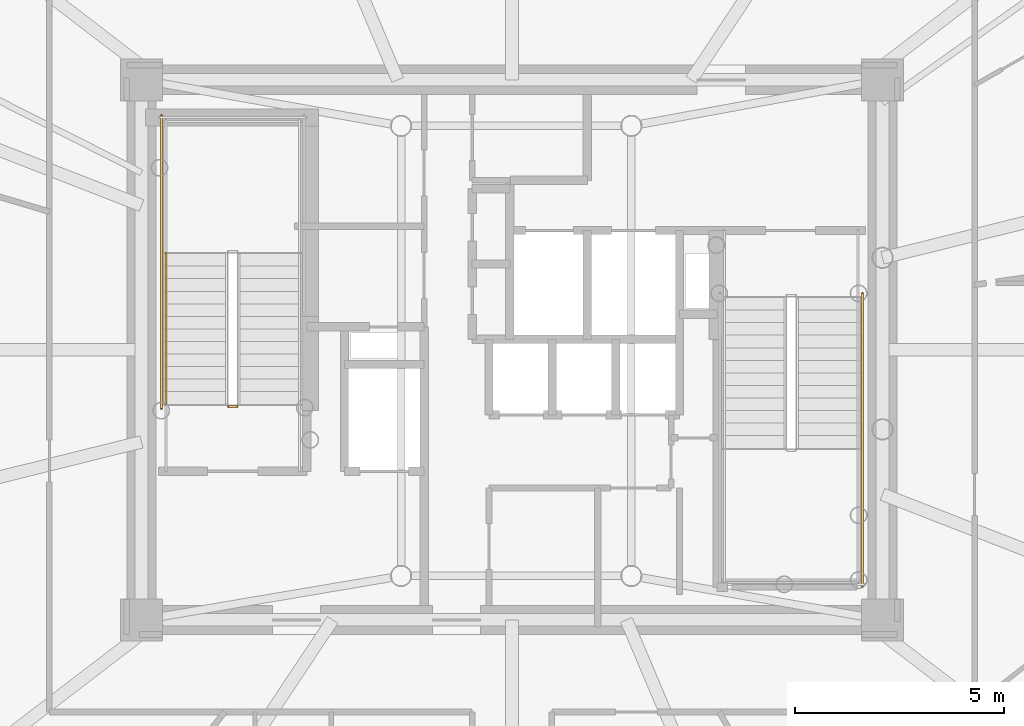
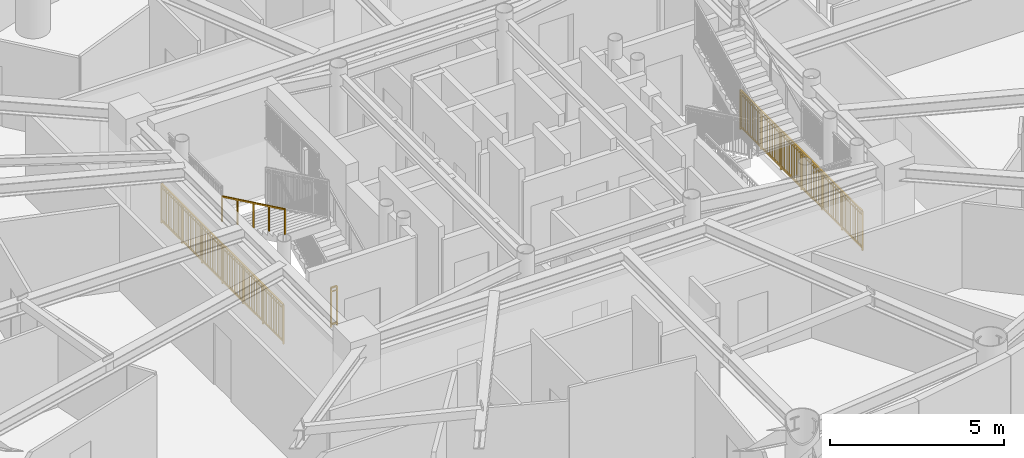
# One storey, part 14 of 18: 4 railings.
"""IFC4 building model written with IfcOpenShell, lengths in metres."""

import ifcopenshell
import ifcopenshell.guid

model = None  # the IFC model being written
_history = None  # IfcOwnerHistory: only IFC2X3 demands one
_inside = {}  # id of a spatial element -> (the spatial element, [elements in it])
_under = {}  # id of a project, library or spatial element -> (it, [spatial elements below it])
_declared = {}  # id of a project -> (the project, [libraries it declares])
_typed = {}  # id of a type object -> (the type object, [elements of that type])
_made_of = {}  # id of a material, layer set ... -> (it, [elements and type objects made of it])


def new_model(schema):
    """Start an empty IFC model of exactly this schema.

    Asked for "IFC4X3", IfcOpenShell would pick the latest addendum, in which some entities
    have other attributes; the version numbers below select the first issue.
    IFC2X3 requires an IfcOwnerHistory on every rooted entity: one is made here for all.
    """
    global model, _history
    if schema == "IFC4X3":
        model = ifcopenshell.file(schema_version=(4, 3, 0, 0))
    else:
        model = ifcopenshell.file(schema=schema)
    _inside.clear()
    _under.clear()
    _declared.clear()
    _typed.clear()
    _made_of.clear()
    _history = None
    if model.schema == "IFC2X3":
        org = make("IfcOrganization", Name="unknown")
        user = make(
            "IfcPersonAndOrganization",
            ThePerson=make("IfcPerson", FamilyName="unknown"),
            TheOrganization=org,
        )
        app = make(
            "IfcApplication",
            ApplicationDeveloper=org,
            Version="unknown",
            ApplicationFullName="unknown",
            ApplicationIdentifier="unknown",
        )
        _history = make(
            "IfcOwnerHistory",
            OwningUser=user,
            OwningApplication=app,
            ChangeAction="ADDED",
            CreationDate=0,
        )
    return model


def make(cls, **values):
    """One entity of the class cls with the attributes given. An attribute that is None is left unset."""
    return model.create_entity(
        cls, **{name: value for name, value in values.items() if value is not None}
    )


def rooted(cls, **values):
    """An entity with a GlobalId (a new one), such as an element, a storey or a relation."""
    return make(cls, GlobalId=ifcopenshell.guid.new(), OwnerHistory=_history, **values)


def si_unit(unit_type, name, prefix=None):
    """IfcSIUnit, for example si_unit("LENGTHUNIT", "METRE", prefix="MILLI")."""
    return make("IfcSIUnit", UnitType=unit_type, Prefix=prefix, Name=name)


def assignment(units):
    """IfcUnitAssignment: the units of a project."""
    return None if units is None else make("IfcUnitAssignment", Units=units)


def point(xyz):
    """IfcCartesianPoint."""
    return None if xyz is None else make("IfcCartesianPoint", Coordinates=xyz)


def direction(xyz):
    """IfcDirection."""
    return None if xyz is None else make("IfcDirection", DirectionRatios=xyz)


def frame(location, z_axis=None, x_axis=None):
    """IfcAxis2Placement3D, a coordinate frame: its origin and axes. An axis left out is left unset."""
    return make(
        "IfcAxis2Placement3D",
        Location=point(location),
        Axis=direction(z_axis),
        RefDirection=direction(x_axis),
    )


def frame_2d(location, x_axis=None):
    """IfcAxis2Placement2D, a coordinate frame in the plane: its origin and x axis."""
    return make(
        "IfcAxis2Placement2D", Location=point(location), RefDirection=direction(x_axis)
    )


def origin():
    """The frame at (0, 0, 0) with its axes left unset."""
    return frame((0.0, 0.0, 0.0))


def origin_2d():
    """The frame at (0, 0) in the plane with its x axis left unset."""
    return frame_2d((0.0, 0.0))


def place(relative_to, where):
    """IfcLocalPlacement: puts the frame where relative to a parent placement (None: the world)."""
    return make(
        "IfcLocalPlacement", PlacementRelTo=relative_to, RelativePlacement=where
    )


def context(
    kind, dimensions, precision=None, world=None, true_north=None, identifier=None
):
    """IfcGeometricRepresentationContext, for example the 3D "Model" context."""
    return make(
        "IfcGeometricRepresentationContext",
        ContextIdentifier=identifier,
        ContextType=kind,
        CoordinateSpaceDimension=dimensions,
        Precision=precision,
        WorldCoordinateSystem=world,
        TrueNorth=true_north,
    )


def subcontext(parent, identifier, kind, view, scale=None):
    """IfcGeometricRepresentationSubContext, for example "Body" below "Model"."""
    return make(
        "IfcGeometricRepresentationSubContext",
        ContextIdentifier=identifier,
        ContextType=kind,
        ParentContext=parent,
        TargetScale=scale,
        TargetView=view,
    )


def project(units=None, contexts=None):
    """IfcProject with its units and contexts."""
    return rooted(
        "IfcProject",
        Name="project",
        RepresentationContexts=contexts,
        UnitsInContext=assignment(units),
    )


def spatial(cls, under=None, at=None, **own):
    """A site, building, storey or space (cls), placed at a placement, below another one or the project."""
    s = rooted(cls, ObjectPlacement=at, **own)
    if under is not None:
        _under.setdefault(under.id(), (under, []))[1].append(s)
    return s


def profile(cls, at=None, kind="AREA", **sizes):
    """A parametric profile (cls). Its sizes go by their IFC names, for example OverallWidth=200.0."""
    return make(cls, ProfileType=kind, Position=at, **sizes)


def rectangle(**sizes):
    """IfcRectangleProfileDef."""
    return profile("IfcRectangleProfileDef", **sizes)


def extrude(swept, where, along, depth):
    """IfcExtrudedAreaSolid: the profile swept, set in the frame where, extruded along a direction by depth."""
    return make(
        "IfcExtrudedAreaSolid",
        SweptArea=swept,
        Position=where,
        ExtrudedDirection=direction(along),
        Depth=depth,
    )


def shape(context_of_items, identifier, shape_type, items):
    """IfcShapeRepresentation: the items that make up one representation, for example the "Body"."""
    return make(
        "IfcShapeRepresentation",
        ContextOfItems=context_of_items,
        RepresentationIdentifier=identifier,
        RepresentationType=shape_type,
        Items=items,
    )


def source(mapping_origin, context_of_items, identifier, shape_type, items):
    """IfcRepresentationMap: a shape defined once, which mapped items show again and again."""
    return make(
        "IfcRepresentationMap",
        MappingOrigin=mapping_origin,
        MappedRepresentation=shape(context_of_items, identifier, shape_type, items),
    )


def transform(
    local_origin,
    x_axis=None,
    y_axis=None,
    z_axis=None,
    scale=None,
    scale2=None,
    scale3=None,
    uniform=True,
):
    """IfcCartesianTransformationOperator3D, or its non-uniform kind. x_axis, y_axis, z_axis: its Axis1, 2, 3."""
    if uniform:
        return make(
            "IfcCartesianTransformationOperator3D",
            Axis1=direction(x_axis),
            Axis2=direction(y_axis),
            LocalOrigin=point(local_origin),
            Scale=scale,
            Axis3=direction(z_axis),
        )
    return make(
        "IfcCartesianTransformationOperator3DnonUniform",
        Axis1=direction(x_axis),
        Axis2=direction(y_axis),
        LocalOrigin=point(local_origin),
        Scale=scale,
        Axis3=direction(z_axis),
        Scale2=scale2,
        Scale3=scale3,
    )


def mapped(mapping_source, mapping_target):
    """IfcMappedItem: shows the shape of a source again, moved by a transform."""
    return make(
        "IfcMappedItem", MappingSource=mapping_source, MappingTarget=mapping_target
    )


def material(Name=None, Category=None):
    """IfcMaterial."""
    return make("IfcMaterial", Name=Name, Category=Category)


def made_of(thing, what):
    """Note that an element or type object is made of a material, layer set ...; save() writes the relation."""
    if what is not None:
        _made_of.setdefault(what.id(), (what, []))[1].append(thing)
    return thing


def type_object(cls, material=None, **own):
    """A type object (cls), such as IfcWallType, which elements share."""
    return made_of(rooted(cls, **own), material)


def element(
    cls,
    number,
    at=None,
    inside=None,
    cuts=None,
    type_object=None,
    material=None,
    context=None,
    identifier="Body",
    shape_type=None,
    held_by="IfcProductDefinitionShape",
    body=None,
    shapes=None,
    **own,
):
    """One element of the class cls, such as IfcWall. Its Tag is "e" and its number.

    at: its placement. inside: the storey or other place that contains it. cuts: it is an
    opening in that element (IfcRelVoidsElement). A single representation is given by context,
    identifier, shape_type and body (its items); several are given by shapes. held_by: the class
    of the entity that holds the representations. save() writes the other relations.
    """
    e = rooted(cls, Tag="e%d" % number, ObjectPlacement=at, **own)
    if body is not None:
        shapes = [shape(context, identifier, shape_type, body)]
    if shapes is not None:
        e.Representation = make(held_by, Representations=shapes)
    if inside is not None:
        _inside.setdefault(inside.id(), (inside, []))[1].append(e)
    if cuts is not None:
        rooted(
            "IfcRelVoidsElement", RelatingBuildingElement=cuts, RelatedOpeningElement=e
        )
    if type_object is not None:
        _typed.setdefault(type_object.id(), (type_object, []))[1].append(e)
    return made_of(e, material)


def aggregate(whole, parts):
    """IfcRelAggregates: a whole, such as a stair, and the parts it consists of."""
    return rooted("IfcRelAggregates", RelatingObject=whole, RelatedObjects=parts)


def save(model, path):
    """Write the relations noted so far, then the file.

    IfcRelAggregates (storeys below a building ...), IfcRelContainedInSpatialStructure (elements
    in a storey), IfcRelDefinesByType, IfcRelAssociatesMaterial and IfcRelDeclares: one each for
    every whole, place, type object, material and project.
    """
    for whole, parts in _under.values():
        aggregate(whole, parts)
    for where, things in _inside.values():
        rooted(
            "IfcRelContainedInSpatialStructure",
            RelatedElements=things,
            RelatingStructure=where,
        )
    for kind, things in _typed.values():
        rooted("IfcRelDefinesByType", RelatedObjects=things, RelatingType=kind)
    for what, things in _made_of.values():
        rooted("IfcRelAssociatesMaterial", RelatedObjects=things, RelatingMaterial=what)
    for by, libraries in _declared.values():
        rooted("IfcRelDeclares", RelatingContext=by, RelatedDefinitions=libraries)
    model.write(path)


model = new_model("IFC4")

# Units and contexts
model_context = context("Model", 3, precision=1e-05, world=origin(), true_north=direction((0.0, 1.0)))
body_context = subcontext(model_context, "Body", "Model", "MODEL_VIEW")
ifc_project = project(units=[si_unit("LENGTHUNIT", "METRE"), si_unit("AREAUNIT", "SQUARE_METRE"), si_unit("VOLUMEUNIT", "CUBIC_METRE"), si_unit("PLANEANGLEUNIT", "RADIAN"), si_unit("MASSUNIT", "GRAM", prefix="KILO")], contexts=[model_context])

# Site, building, storey
site_placement = place(None, origin())
site = spatial("IfcSite", under=ifc_project, at=site_placement, CompositionType="ELEMENT")
building_placement = place(site_placement, origin())
building = spatial("IfcBuilding", under=site, at=building_placement, Name="Linh Dai School and Residence Tower", CompositionType="ELEMENT")
storey_placement = place(building_placement, frame((0.0, 0.0, 273.0)))
storey = spatial("IfcBuildingStorey", under=building, at=storey_placement, Name="L67", CompositionType="ELEMENT", Elevation=273.0)

# Railings
ifc_material_1 = material(Name="Structural Steel S355JR", Category="steel")
railing_type_1 = type_object("IfcRailingType", Name="RL-ST-GUARD-1400", PredefinedType="GUARDRAIL", material=ifc_material_1)
shared_shape_1 = source(origin(), body_context, "Body", "SweptSolid", [
    extrude(rectangle(XDim=0.048095703125, YDim=0.048095703125, at=origin_2d()), frame((0.0, 0.0, 1.3759765625), z_axis=(-1.0, 0.0, 0.0), x_axis=(0.0, -1.0, 0.0)), (0.0, 0.0, 1.0), 0.199951171875),
    extrude(rectangle(XDim=0.048095703125, YDim=0.048095703125, at=origin_2d()), frame((0.0, 0.0, 0.10009765625), z_axis=(-1.0, 0.0, 0.0), x_axis=(0.0, -1.0, 0.0)), (0.0, 0.0, 1.0), 0.199951171875),
    extrude(rectangle(XDim=0.030029296875, YDim=0.030029296875, at=origin_2d()), frame((0.0, 0.0, 1.239990234375), z_axis=(-1.0, 0.0, 0.0), x_axis=(0.0, -1.0, 0.0)), (0.0, 0.0, 1.0), 0.199951171875),
    extrude(rectangle(XDim=0.0419921875, YDim=0.0419921875, at=origin_2d()), origin(), (0.0, 0.0, 1.0), 1.3759765625),
    extrude(rectangle(XDim=0.0419921875, YDim=0.0419921875, at=origin_2d()), frame((-0.199951171875, 0.0, 0.0)), (0.0, 0.0, 1.0), 1.3759765625),
])
railing_1_placement = place(storey_placement, frame((29.429931640625, 25.64990234375, 0.0)))
element("IfcRailing", 1, at=railing_1_placement, inside=storey, type_object=railing_type_1, Name="L67 ST1 stair guard 7", PredefinedType="GUARDRAIL", context=body_context, shape_type="MappedRepresentation", body=[
    mapped(shared_shape_1, transform((0.0, 0.0, 0.0), x_axis=(1.0, 0.0, 0.0), y_axis=(0.0, 1.0, 0.0), z_axis=(0.0, 0.0, 1.0), scale=1.0)),
])
shared_shape_2 = source(origin(), body_context, "Body", "SweptSolid", [
    extrude(rectangle(XDim=0.048095703125, YDim=0.048095703125, at=origin_2d()), frame((0.0, 0.0, 1.3759765625), z_axis=(0.0, 1.0, 0.0), x_axis=(-1.0, 0.0, 0.0)), (0.0, 0.0, 1.0), 7.0),
    extrude(rectangle(XDim=0.048095703125, YDim=0.048095703125, at=origin_2d()), frame((0.0, 0.0, 0.10009765625), z_axis=(0.0, 1.0, 0.0), x_axis=(-1.0, 0.0, 0.0)), (0.0, 0.0, 1.0), 7.0),
    extrude(rectangle(XDim=0.030029296875, YDim=0.030029296875, at=origin_2d()), frame((0.0, 0.0, 1.239990234375), z_axis=(0.0, 1.0, 0.0), x_axis=(-1.0, 0.0, 0.0)), (0.0, 0.0, 1.0), 7.0),
    extrude(rectangle(XDim=0.02001953125, YDim=0.02001953125, at=origin_2d()), frame((0.0, 0.09716796875, 0.10009765625)), (0.0, 0.0, 1.0), 1.251708984375),
    extrude(rectangle(XDim=0.02001953125, YDim=0.02001953125, at=origin_2d()), frame((0.0, 0.1943359375, 0.10009765625)), (0.0, 0.0, 1.0), 1.251708984375),
    extrude(rectangle(XDim=0.02001953125, YDim=0.02001953125, at=origin_2d()), frame((0.0, 0.291748046875, 0.10009765625)), (0.0, 0.0, 1.0), 1.251708984375),
    extrude(rectangle(XDim=0.02001953125, YDim=0.02001953125, at=origin_2d()), frame((0.0, 0.388916015625, 0.10009765625)), (0.0, 0.0, 1.0), 1.251708984375),
    extrude(rectangle(XDim=0.02001953125, YDim=0.02001953125, at=origin_2d()), frame((0.0, 0.486083984375, 0.10009765625)), (0.0, 0.0, 1.0), 1.251708984375),
    extrude(rectangle(XDim=0.02001953125, YDim=0.02001953125, at=origin_2d()), frame((0.0, 0.583251953125, 0.10009765625)), (0.0, 0.0, 1.0), 1.251708984375),
    extrude(rectangle(XDim=0.02001953125, YDim=0.02001953125, at=origin_2d()), frame((0.0, 0.6806640625, 0.10009765625)), (0.0, 0.0, 1.0), 1.251708984375),
    extrude(rectangle(XDim=0.02001953125, YDim=0.02001953125, at=origin_2d()), frame((0.0, 0.77783203125, 0.10009765625)), (0.0, 0.0, 1.0), 1.251708984375),
    extrude(rectangle(XDim=0.02001953125, YDim=0.02001953125, at=origin_2d()), frame((0.0, 0.875, 0.10009765625)), (0.0, 0.0, 1.0), 1.251708984375),
    extrude(rectangle(XDim=0.02001953125, YDim=0.02001953125, at=origin_2d()), frame((0.0, 0.97216796875, 0.10009765625)), (0.0, 0.0, 1.0), 1.251708984375),
    extrude(rectangle(XDim=0.02001953125, YDim=0.02001953125, at=origin_2d()), frame((0.0, 1.0693359375, 0.10009765625)), (0.0, 0.0, 1.0), 1.251708984375),
    extrude(rectangle(XDim=0.02001953125, YDim=0.02001953125, at=origin_2d()), frame((0.0, 1.263916015625, 0.10009765625)), (0.0, 0.0, 1.0), 1.251708984375),
    extrude(rectangle(XDim=0.02001953125, YDim=0.02001953125, at=origin_2d()), frame((0.0, 1.361083984375, 0.10009765625)), (0.0, 0.0, 1.0), 1.251708984375),
    extrude(rectangle(XDim=0.02001953125, YDim=0.02001953125, at=origin_2d()), frame((0.0, 1.458251953125, 0.10009765625)), (0.0, 0.0, 1.0), 1.251708984375),
    extrude(rectangle(XDim=0.02001953125, YDim=0.02001953125, at=origin_2d()), frame((0.0, 1.5556640625, 0.10009765625)), (0.0, 0.0, 1.0), 1.251708984375),
    extrude(rectangle(XDim=0.02001953125, YDim=0.02001953125, at=origin_2d()), frame((0.0, 1.65283203125, 0.10009765625)), (0.0, 0.0, 1.0), 1.251708984375),
    extrude(rectangle(XDim=0.02001953125, YDim=0.02001953125, at=origin_2d()), frame((0.0, 1.75, 0.10009765625)), (0.0, 0.0, 1.0), 1.251708984375),
    extrude(rectangle(XDim=0.02001953125, YDim=0.02001953125, at=origin_2d()), frame((0.0, 1.84716796875, 0.10009765625)), (0.0, 0.0, 1.0), 1.251708984375),
    extrude(rectangle(XDim=0.02001953125, YDim=0.02001953125, at=origin_2d()), frame((0.0, 1.9443359375, 0.10009765625)), (0.0, 0.0, 1.0), 1.251708984375),
    extrude(rectangle(XDim=0.02001953125, YDim=0.02001953125, at=origin_2d()), frame((0.0, 2.041748046875, 0.10009765625)), (0.0, 0.0, 1.0), 1.251708984375),
    extrude(rectangle(XDim=0.02001953125, YDim=0.02001953125, at=origin_2d()), frame((0.0, 2.138916015625, 0.10009765625)), (0.0, 0.0, 1.0), 1.251708984375),
    extrude(rectangle(XDim=0.02001953125, YDim=0.02001953125, at=origin_2d()), frame((0.0, 2.236083984375, 0.10009765625)), (0.0, 0.0, 1.0), 1.251708984375),
    extrude(rectangle(XDim=0.02001953125, YDim=0.02001953125, at=origin_2d()), frame((0.0, 2.4306640625, 0.10009765625)), (0.0, 0.0, 1.0), 1.251708984375),
    extrude(rectangle(XDim=0.02001953125, YDim=0.02001953125, at=origin_2d()), frame((0.0, 2.52783203125, 0.10009765625)), (0.0, 0.0, 1.0), 1.251708984375),
    extrude(rectangle(XDim=0.02001953125, YDim=0.02001953125, at=origin_2d()), frame((0.0, 2.625, 0.10009765625)), (0.0, 0.0, 1.0), 1.251708984375),
    extrude(rectangle(XDim=0.02001953125, YDim=0.02001953125, at=origin_2d()), frame((0.0, 2.72216796875, 0.10009765625)), (0.0, 0.0, 1.0), 1.251708984375),
    extrude(rectangle(XDim=0.02001953125, YDim=0.02001953125, at=origin_2d()), frame((0.0, 2.8193359375, 0.10009765625)), (0.0, 0.0, 1.0), 1.251708984375),
    extrude(rectangle(XDim=0.02001953125, YDim=0.02001953125, at=origin_2d()), frame((0.0, 2.916748046875, 0.10009765625)), (0.0, 0.0, 1.0), 1.251708984375),
    extrude(rectangle(XDim=0.02001953125, YDim=0.02001953125, at=origin_2d()), frame((0.0, 3.013916015625, 0.10009765625)), (0.0, 0.0, 1.0), 1.251708984375),
    extrude(rectangle(XDim=0.02001953125, YDim=0.02001953125, at=origin_2d()), frame((0.0, 3.111083984375, 0.10009765625)), (0.0, 0.0, 1.0), 1.251708984375),
    extrude(rectangle(XDim=0.02001953125, YDim=0.02001953125, at=origin_2d()), frame((0.0, 3.208251953125, 0.10009765625)), (0.0, 0.0, 1.0), 1.251708984375),
    extrude(rectangle(XDim=0.02001953125, YDim=0.02001953125, at=origin_2d()), frame((0.0, 3.3056640625, 0.10009765625)), (0.0, 0.0, 1.0), 1.251708984375),
    extrude(rectangle(XDim=0.02001953125, YDim=0.02001953125, at=origin_2d()), frame((0.0, 3.40283203125, 0.10009765625)), (0.0, 0.0, 1.0), 1.251708984375),
    extrude(rectangle(XDim=0.02001953125, YDim=0.02001953125, at=origin_2d()), frame((0.0, 3.59716796875, 0.10009765625)), (0.0, 0.0, 1.0), 1.251708984375),
    extrude(rectangle(XDim=0.02001953125, YDim=0.02001953125, at=origin_2d()), frame((0.0, 3.6943359375, 0.10009765625)), (0.0, 0.0, 1.0), 1.251708984375),
    extrude(rectangle(XDim=0.02001953125, YDim=0.02001953125, at=origin_2d()), frame((0.0, 3.791748046875, 0.10009765625)), (0.0, 0.0, 1.0), 1.251708984375),
    extrude(rectangle(XDim=0.02001953125, YDim=0.02001953125, at=origin_2d()), frame((0.0, 3.888916015625, 0.10009765625)), (0.0, 0.0, 1.0), 1.251708984375),
    extrude(rectangle(XDim=0.02001953125, YDim=0.02001953125, at=origin_2d()), frame((0.0, 3.986083984375, 0.10009765625)), (0.0, 0.0, 1.0), 1.251708984375),
    extrude(rectangle(XDim=0.02001953125, YDim=0.02001953125, at=origin_2d()), frame((0.0, 4.083251953125, 0.10009765625)), (0.0, 0.0, 1.0), 1.251708984375),
    extrude(rectangle(XDim=0.02001953125, YDim=0.02001953125, at=origin_2d()), frame((0.0, 4.1806640625, 0.10009765625)), (0.0, 0.0, 1.0), 1.251708984375),
    extrude(rectangle(XDim=0.02001953125, YDim=0.02001953125, at=origin_2d()), frame((0.0, 4.27783203125, 0.10009765625)), (0.0, 0.0, 1.0), 1.251708984375),
    extrude(rectangle(XDim=0.02001953125, YDim=0.02001953125, at=origin_2d()), frame((0.0, 4.375, 0.10009765625)), (0.0, 0.0, 1.0), 1.251708984375),
    extrude(rectangle(XDim=0.02001953125, YDim=0.02001953125, at=origin_2d()), frame((0.0, 4.47216796875, 0.10009765625)), (0.0, 0.0, 1.0), 1.251708984375),
    extrude(rectangle(XDim=0.02001953125, YDim=0.02001953125, at=origin_2d()), frame((0.0, 4.5693359375, 0.10009765625)), (0.0, 0.0, 1.0), 1.251708984375),
    extrude(rectangle(XDim=0.02001953125, YDim=0.02001953125, at=origin_2d()), frame((0.0, 4.763916015625, 0.10009765625)), (0.0, 0.0, 1.0), 1.251708984375),
    extrude(rectangle(XDim=0.02001953125, YDim=0.02001953125, at=origin_2d()), frame((0.0, 4.861083984375, 0.10009765625)), (0.0, 0.0, 1.0), 1.251708984375),
    extrude(rectangle(XDim=0.02001953125, YDim=0.02001953125, at=origin_2d()), frame((0.0, 4.958251953125, 0.10009765625)), (0.0, 0.0, 1.0), 1.251708984375),
    extrude(rectangle(XDim=0.02001953125, YDim=0.02001953125, at=origin_2d()), frame((0.0, 5.0556640625, 0.10009765625)), (0.0, 0.0, 1.0), 1.251708984375),
    extrude(rectangle(XDim=0.02001953125, YDim=0.02001953125, at=origin_2d()), frame((0.0, 5.15283203125, 0.10009765625)), (0.0, 0.0, 1.0), 1.251708984375),
    extrude(rectangle(XDim=0.02001953125, YDim=0.02001953125, at=origin_2d()), frame((0.0, 5.25, 0.10009765625)), (0.0, 0.0, 1.0), 1.251708984375),
    extrude(rectangle(XDim=0.02001953125, YDim=0.02001953125, at=origin_2d()), frame((0.0, 5.34716796875, 0.10009765625)), (0.0, 0.0, 1.0), 1.251708984375),
    extrude(rectangle(XDim=0.02001953125, YDim=0.02001953125, at=origin_2d()), frame((0.0, 5.4443359375, 0.10009765625)), (0.0, 0.0, 1.0), 1.251708984375),
    extrude(rectangle(XDim=0.02001953125, YDim=0.02001953125, at=origin_2d()), frame((0.0, 5.541748046875, 0.10009765625)), (0.0, 0.0, 1.0), 1.251708984375),
    extrude(rectangle(XDim=0.02001953125, YDim=0.02001953125, at=origin_2d()), frame((0.0, 5.638916015625, 0.10009765625)), (0.0, 0.0, 1.0), 1.251708984375),
    extrude(rectangle(XDim=0.02001953125, YDim=0.02001953125, at=origin_2d()), frame((0.0, 5.736083984375, 0.10009765625)), (0.0, 0.0, 1.0), 1.251708984375),
    extrude(rectangle(XDim=0.02001953125, YDim=0.02001953125, at=origin_2d()), frame((0.0, 5.9306640625, 0.10009765625)), (0.0, 0.0, 1.0), 1.251708984375),
    extrude(rectangle(XDim=0.02001953125, YDim=0.02001953125, at=origin_2d()), frame((0.0, 6.02783203125, 0.10009765625)), (0.0, 0.0, 1.0), 1.251708984375),
    extrude(rectangle(XDim=0.02001953125, YDim=0.02001953125, at=origin_2d()), frame((0.0, 6.125, 0.10009765625)), (0.0, 0.0, 1.0), 1.251708984375),
    extrude(rectangle(XDim=0.02001953125, YDim=0.02001953125, at=origin_2d()), frame((0.0, 6.22216796875, 0.10009765625)), (0.0, 0.0, 1.0), 1.251708984375),
    extrude(rectangle(XDim=0.02001953125, YDim=0.02001953125, at=origin_2d()), frame((0.0, 6.3193359375, 0.10009765625)), (0.0, 0.0, 1.0), 1.251708984375),
    extrude(rectangle(XDim=0.02001953125, YDim=0.02001953125, at=origin_2d()), frame((0.0, 6.416748046875, 0.10009765625)), (0.0, 0.0, 1.0), 1.251708984375),
    extrude(rectangle(XDim=0.02001953125, YDim=0.02001953125, at=origin_2d()), frame((0.0, 6.513916015625, 0.10009765625)), (0.0, 0.0, 1.0), 1.251708984375),
    extrude(rectangle(XDim=0.02001953125, YDim=0.02001953125, at=origin_2d()), frame((0.0, 6.611083984375, 0.10009765625)), (0.0, 0.0, 1.0), 1.251708984375),
    extrude(rectangle(XDim=0.02001953125, YDim=0.02001953125, at=origin_2d()), frame((0.0, 6.708251953125, 0.10009765625)), (0.0, 0.0, 1.0), 1.251708984375),
    extrude(rectangle(XDim=0.02001953125, YDim=0.02001953125, at=origin_2d()), frame((0.0, 6.8056640625, 0.10009765625)), (0.0, 0.0, 1.0), 1.251708984375),
    extrude(rectangle(XDim=0.02001953125, YDim=0.02001953125, at=origin_2d()), frame((0.0, 6.90283203125, 0.10009765625)), (0.0, 0.0, 1.0), 1.251708984375),
    extrude(rectangle(XDim=0.0419921875, YDim=0.0419921875, at=origin_2d()), origin(), (0.0, 0.0, 1.0), 1.3759765625),
    extrude(rectangle(XDim=0.0419921875, YDim=0.0419921875, at=origin_2d()), frame((0.0, 1.166748046875, 0.0)), (0.0, 0.0, 1.0), 1.3759765625),
    extrude(rectangle(XDim=0.0419921875, YDim=0.0419921875, at=origin_2d()), frame((0.0, 2.333251953125, 0.0)), (0.0, 0.0, 1.0), 1.3759765625),
    extrude(rectangle(XDim=0.0419921875, YDim=0.0419921875, at=origin_2d()), frame((0.0, 3.5, 0.0)), (0.0, 0.0, 1.0), 1.3759765625),
    extrude(rectangle(XDim=0.0419921875, YDim=0.0419921875, at=origin_2d()), frame((0.0, 4.666748046875, 0.0)), (0.0, 0.0, 1.0), 1.3759765625),
    extrude(rectangle(XDim=0.0419921875, YDim=0.0419921875, at=origin_2d()), frame((0.0, 5.833251953125, 0.0)), (0.0, 0.0, 1.0), 1.3759765625),
    extrude(rectangle(XDim=0.0419921875, YDim=0.0419921875, at=origin_2d()), frame((0.0, 7.0, 0.0)), (0.0, 0.0, 1.0), 1.3759765625),
])
railing_2_placement = place(storey_placement, frame((27.6298828125, 25.60009765625, 0.0)))
element("IfcRailing", 2, at=railing_2_placement, inside=storey, type_object=railing_type_1, Name="L67 ST1 stair guard 11", PredefinedType="GUARDRAIL", context=body_context, shape_type="MappedRepresentation", body=[
    mapped(shared_shape_2, transform((0.0, 0.0, 0.0), x_axis=(1.0, 0.0, 0.0), y_axis=(0.0, 1.0, 0.0), z_axis=(0.0, 0.0, 1.0), scale=1.0)),
])
ifc_material_2 = material(Name="Brushed Stainless Steel Handrail", Category="steel")
railing_type_2 = type_object("IfcRailingType", Name="RL-ST-HANDRAIL-900", PredefinedType="HANDRAIL", material=ifc_material_2)
shared_shape_3 = source(origin(), body_context, "Body", "SweptSolid", [
    extrude(rectangle(XDim=0.048095703125, YDim=0.048095703125, at=origin_2d()), frame((0.0, 0.0, 0.8759765625), z_axis=(0.0, -0.901262522062, 0.433273431364), x_axis=(1.0, 0.0, 0.0)), (0.0, 0.0, 1.0), 3.994384765625),
    extrude(rectangle(XDim=0.0419921875, YDim=0.0419921875, at=origin_2d()), origin(), (0.0, 0.0, 1.0), 0.8759765625),
    extrude(rectangle(XDim=0.0419921875, YDim=0.0419921875, at=origin_2d()), frame((0.0, -0.89990234375, 0.4326171875)), (0.0, 0.0, 1.0), 0.8759765625),
    extrude(rectangle(XDim=0.0419921875, YDim=0.0419921875, at=origin_2d()), frame((0.0, -1.800048828125, 0.865234375)), (0.0, 0.0, 1.0), 0.8759765625),
    extrude(rectangle(XDim=0.0419921875, YDim=0.0419921875, at=origin_2d()), frame((0.0, -2.7001953125, 1.298095703125)), (0.0, 0.0, 1.0), 0.8759765625),
    extrude(rectangle(XDim=0.0419921875, YDim=0.0419921875, at=origin_2d()), frame((0.0, -3.60009765625, 1.730712890625)), (0.0, 0.0, 1.0), 0.8759765625),
])
railing_3_placement = place(storey_placement, frame((27.72998046875, 29.300048828125, 2.019287109375)))
element("IfcRailing", 3, at=railing_3_placement, inside=storey, type_object=railing_type_2, Name="L67 ST1 stair handrail 2", PredefinedType="HANDRAIL", context=body_context, shape_type="MappedRepresentation", body=[
    mapped(shared_shape_3, transform((0.0, 0.0, 0.0), x_axis=(1.0, 0.0, 0.0), y_axis=(0.0, 1.0, 0.0), z_axis=(0.0, 0.0, 1.0), scale=1.0)),
])
shared_shape_4 = source(origin(), body_context, "Body", "SweptSolid", [
    extrude(rectangle(XDim=0.048095703125, YDim=0.048095703125, at=origin_2d()), frame((0.0, 0.0, 1.3759765625), z_axis=(0.0, -1.0, 0.0), x_axis=(1.0, 0.0, 0.0)), (0.0, 0.0, 1.0), 7.0),
    extrude(rectangle(XDim=0.048095703125, YDim=0.048095703125, at=origin_2d()), frame((0.0, 0.0, 0.10009765625), z_axis=(0.0, -1.0, 0.0), x_axis=(1.0, 0.0, 0.0)), (0.0, 0.0, 1.0), 7.0),
    extrude(rectangle(XDim=0.030029296875, YDim=0.030029296875, at=origin_2d()), frame((0.0, 0.0, 1.239990234375), z_axis=(0.0, -1.0, 0.0), x_axis=(1.0, 0.0, 0.0)), (0.0, 0.0, 1.0), 7.0),
    extrude(rectangle(XDim=0.02001953125, YDim=0.02001953125, at=origin_2d()), frame((0.0, -0.09716796875, 0.10009765625)), (0.0, 0.0, 1.0), 1.251708984375),
    extrude(rectangle(XDim=0.02001953125, YDim=0.02001953125, at=origin_2d()), frame((0.0, -0.1943359375, 0.10009765625)), (0.0, 0.0, 1.0), 1.251708984375),
    extrude(rectangle(XDim=0.02001953125, YDim=0.02001953125, at=origin_2d()), frame((0.0, -0.291748046875, 0.10009765625)), (0.0, 0.0, 1.0), 1.251708984375),
    extrude(rectangle(XDim=0.02001953125, YDim=0.02001953125, at=origin_2d()), frame((0.0, -0.388916015625, 0.10009765625)), (0.0, 0.0, 1.0), 1.251708984375),
    extrude(rectangle(XDim=0.02001953125, YDim=0.02001953125, at=origin_2d()), frame((0.0, -0.486083984375, 0.10009765625)), (0.0, 0.0, 1.0), 1.251708984375),
    extrude(rectangle(XDim=0.02001953125, YDim=0.02001953125, at=origin_2d()), frame((0.0, -0.583251953125, 0.10009765625)), (0.0, 0.0, 1.0), 1.251708984375),
    extrude(rectangle(XDim=0.02001953125, YDim=0.02001953125, at=origin_2d()), frame((0.0, -0.6806640625, 0.10009765625)), (0.0, 0.0, 1.0), 1.251708984375),
    extrude(rectangle(XDim=0.02001953125, YDim=0.02001953125, at=origin_2d()), frame((0.0, -0.77783203125, 0.10009765625)), (0.0, 0.0, 1.0), 1.251708984375),
    extrude(rectangle(XDim=0.02001953125, YDim=0.02001953125, at=origin_2d()), frame((0.0, -0.875, 0.10009765625)), (0.0, 0.0, 1.0), 1.251708984375),
    extrude(rectangle(XDim=0.02001953125, YDim=0.02001953125, at=origin_2d()), frame((0.0, -0.97216796875, 0.10009765625)), (0.0, 0.0, 1.0), 1.251708984375),
    extrude(rectangle(XDim=0.02001953125, YDim=0.02001953125, at=origin_2d()), frame((0.0, -1.0693359375, 0.10009765625)), (0.0, 0.0, 1.0), 1.251708984375),
    extrude(rectangle(XDim=0.02001953125, YDim=0.02001953125, at=origin_2d()), frame((0.0, -1.263916015625, 0.10009765625)), (0.0, 0.0, 1.0), 1.251708984375),
    extrude(rectangle(XDim=0.02001953125, YDim=0.02001953125, at=origin_2d()), frame((0.0, -1.361083984375, 0.10009765625)), (0.0, 0.0, 1.0), 1.251708984375),
    extrude(rectangle(XDim=0.02001953125, YDim=0.02001953125, at=origin_2d()), frame((0.0, -1.458251953125, 0.10009765625)), (0.0, 0.0, 1.0), 1.251708984375),
    extrude(rectangle(XDim=0.02001953125, YDim=0.02001953125, at=origin_2d()), frame((0.0, -1.5556640625, 0.10009765625)), (0.0, 0.0, 1.0), 1.251708984375),
    extrude(rectangle(XDim=0.02001953125, YDim=0.02001953125, at=origin_2d()), frame((0.0, -1.65283203125, 0.10009765625)), (0.0, 0.0, 1.0), 1.251708984375),
    extrude(rectangle(XDim=0.02001953125, YDim=0.02001953125, at=origin_2d()), frame((0.0, -1.75, 0.10009765625)), (0.0, 0.0, 1.0), 1.251708984375),
    extrude(rectangle(XDim=0.02001953125, YDim=0.02001953125, at=origin_2d()), frame((0.0, -1.84716796875, 0.10009765625)), (0.0, 0.0, 1.0), 1.251708984375),
    extrude(rectangle(XDim=0.02001953125, YDim=0.02001953125, at=origin_2d()), frame((0.0, -1.9443359375, 0.10009765625)), (0.0, 0.0, 1.0), 1.251708984375),
    extrude(rectangle(XDim=0.02001953125, YDim=0.02001953125, at=origin_2d()), frame((0.0, -2.041748046875, 0.10009765625)), (0.0, 0.0, 1.0), 1.251708984375),
    extrude(rectangle(XDim=0.02001953125, YDim=0.02001953125, at=origin_2d()), frame((0.0, -2.138916015625, 0.10009765625)), (0.0, 0.0, 1.0), 1.251708984375),
    extrude(rectangle(XDim=0.02001953125, YDim=0.02001953125, at=origin_2d()), frame((0.0, -2.236083984375, 0.10009765625)), (0.0, 0.0, 1.0), 1.251708984375),
    extrude(rectangle(XDim=0.02001953125, YDim=0.02001953125, at=origin_2d()), frame((0.0, -2.4306640625, 0.10009765625)), (0.0, 0.0, 1.0), 1.251708984375),
    extrude(rectangle(XDim=0.02001953125, YDim=0.02001953125, at=origin_2d()), frame((0.0, -2.52783203125, 0.10009765625)), (0.0, 0.0, 1.0), 1.251708984375),
    extrude(rectangle(XDim=0.02001953125, YDim=0.02001953125, at=origin_2d()), frame((0.0, -2.625, 0.10009765625)), (0.0, 0.0, 1.0), 1.251708984375),
    extrude(rectangle(XDim=0.02001953125, YDim=0.02001953125, at=origin_2d()), frame((0.0, -2.72216796875, 0.10009765625)), (0.0, 0.0, 1.0), 1.251708984375),
    extrude(rectangle(XDim=0.02001953125, YDim=0.02001953125, at=origin_2d()), frame((0.0, -2.8193359375, 0.10009765625)), (0.0, 0.0, 1.0), 1.251708984375),
    extrude(rectangle(XDim=0.02001953125, YDim=0.02001953125, at=origin_2d()), frame((0.0, -2.916748046875, 0.10009765625)), (0.0, 0.0, 1.0), 1.251708984375),
    extrude(rectangle(XDim=0.02001953125, YDim=0.02001953125, at=origin_2d()), frame((0.0, -3.013916015625, 0.10009765625)), (0.0, 0.0, 1.0), 1.251708984375),
    extrude(rectangle(XDim=0.02001953125, YDim=0.02001953125, at=origin_2d()), frame((0.0, -3.111083984375, 0.10009765625)), (0.0, 0.0, 1.0), 1.251708984375),
    extrude(rectangle(XDim=0.02001953125, YDim=0.02001953125, at=origin_2d()), frame((0.0, -3.208251953125, 0.10009765625)), (0.0, 0.0, 1.0), 1.251708984375),
    extrude(rectangle(XDim=0.02001953125, YDim=0.02001953125, at=origin_2d()), frame((0.0, -3.3056640625, 0.10009765625)), (0.0, 0.0, 1.0), 1.251708984375),
    extrude(rectangle(XDim=0.02001953125, YDim=0.02001953125, at=origin_2d()), frame((0.0, -3.40283203125, 0.10009765625)), (0.0, 0.0, 1.0), 1.251708984375),
    extrude(rectangle(XDim=0.02001953125, YDim=0.02001953125, at=origin_2d()), frame((0.0, -3.59716796875, 0.10009765625)), (0.0, 0.0, 1.0), 1.251708984375),
    extrude(rectangle(XDim=0.02001953125, YDim=0.02001953125, at=origin_2d()), frame((0.0, -3.6943359375, 0.10009765625)), (0.0, 0.0, 1.0), 1.251708984375),
    extrude(rectangle(XDim=0.02001953125, YDim=0.02001953125, at=origin_2d()), frame((0.0, -3.791748046875, 0.10009765625)), (0.0, 0.0, 1.0), 1.251708984375),
    extrude(rectangle(XDim=0.02001953125, YDim=0.02001953125, at=origin_2d()), frame((0.0, -3.888916015625, 0.10009765625)), (0.0, 0.0, 1.0), 1.251708984375),
    extrude(rectangle(XDim=0.02001953125, YDim=0.02001953125, at=origin_2d()), frame((0.0, -3.986083984375, 0.10009765625)), (0.0, 0.0, 1.0), 1.251708984375),
    extrude(rectangle(XDim=0.02001953125, YDim=0.02001953125, at=origin_2d()), frame((0.0, -4.083251953125, 0.10009765625)), (0.0, 0.0, 1.0), 1.251708984375),
    extrude(rectangle(XDim=0.02001953125, YDim=0.02001953125, at=origin_2d()), frame((0.0, -4.1806640625, 0.10009765625)), (0.0, 0.0, 1.0), 1.251708984375),
    extrude(rectangle(XDim=0.02001953125, YDim=0.02001953125, at=origin_2d()), frame((0.0, -4.27783203125, 0.10009765625)), (0.0, 0.0, 1.0), 1.251708984375),
    extrude(rectangle(XDim=0.02001953125, YDim=0.02001953125, at=origin_2d()), frame((0.0, -4.375, 0.10009765625)), (0.0, 0.0, 1.0), 1.251708984375),
    extrude(rectangle(XDim=0.02001953125, YDim=0.02001953125, at=origin_2d()), frame((0.0, -4.47216796875, 0.10009765625)), (0.0, 0.0, 1.0), 1.251708984375),
    extrude(rectangle(XDim=0.02001953125, YDim=0.02001953125, at=origin_2d()), frame((0.0, -4.5693359375, 0.10009765625)), (0.0, 0.0, 1.0), 1.251708984375),
    extrude(rectangle(XDim=0.02001953125, YDim=0.02001953125, at=origin_2d()), frame((0.0, -4.763916015625, 0.10009765625)), (0.0, 0.0, 1.0), 1.251708984375),
    extrude(rectangle(XDim=0.02001953125, YDim=0.02001953125, at=origin_2d()), frame((0.0, -4.861083984375, 0.10009765625)), (0.0, 0.0, 1.0), 1.251708984375),
    extrude(rectangle(XDim=0.02001953125, YDim=0.02001953125, at=origin_2d()), frame((0.0, -4.958251953125, 0.10009765625)), (0.0, 0.0, 1.0), 1.251708984375),
    extrude(rectangle(XDim=0.02001953125, YDim=0.02001953125, at=origin_2d()), frame((0.0, -5.0556640625, 0.10009765625)), (0.0, 0.0, 1.0), 1.251708984375),
    extrude(rectangle(XDim=0.02001953125, YDim=0.02001953125, at=origin_2d()), frame((0.0, -5.15283203125, 0.10009765625)), (0.0, 0.0, 1.0), 1.251708984375),
    extrude(rectangle(XDim=0.02001953125, YDim=0.02001953125, at=origin_2d()), frame((0.0, -5.25, 0.10009765625)), (0.0, 0.0, 1.0), 1.251708984375),
    extrude(rectangle(XDim=0.02001953125, YDim=0.02001953125, at=origin_2d()), frame((0.0, -5.34716796875, 0.10009765625)), (0.0, 0.0, 1.0), 1.251708984375),
    extrude(rectangle(XDim=0.02001953125, YDim=0.02001953125, at=origin_2d()), frame((0.0, -5.4443359375, 0.10009765625)), (0.0, 0.0, 1.0), 1.251708984375),
    extrude(rectangle(XDim=0.02001953125, YDim=0.02001953125, at=origin_2d()), frame((0.0, -5.541748046875, 0.10009765625)), (0.0, 0.0, 1.0), 1.251708984375),
    extrude(rectangle(XDim=0.02001953125, YDim=0.02001953125, at=origin_2d()), frame((0.0, -5.638916015625, 0.10009765625)), (0.0, 0.0, 1.0), 1.251708984375),
    extrude(rectangle(XDim=0.02001953125, YDim=0.02001953125, at=origin_2d()), frame((0.0, -5.736083984375, 0.10009765625)), (0.0, 0.0, 1.0), 1.251708984375),
    extrude(rectangle(XDim=0.02001953125, YDim=0.02001953125, at=origin_2d()), frame((0.0, -5.9306640625, 0.10009765625)), (0.0, 0.0, 1.0), 1.251708984375),
    extrude(rectangle(XDim=0.02001953125, YDim=0.02001953125, at=origin_2d()), frame((0.0, -6.02783203125, 0.10009765625)), (0.0, 0.0, 1.0), 1.251708984375),
    extrude(rectangle(XDim=0.02001953125, YDim=0.02001953125, at=origin_2d()), frame((0.0, -6.125, 0.10009765625)), (0.0, 0.0, 1.0), 1.251708984375),
    extrude(rectangle(XDim=0.02001953125, YDim=0.02001953125, at=origin_2d()), frame((0.0, -6.22216796875, 0.10009765625)), (0.0, 0.0, 1.0), 1.251708984375),
    extrude(rectangle(XDim=0.02001953125, YDim=0.02001953125, at=origin_2d()), frame((0.0, -6.3193359375, 0.10009765625)), (0.0, 0.0, 1.0), 1.251708984375),
    extrude(rectangle(XDim=0.02001953125, YDim=0.02001953125, at=origin_2d()), frame((0.0, -6.416748046875, 0.10009765625)), (0.0, 0.0, 1.0), 1.251708984375),
    extrude(rectangle(XDim=0.02001953125, YDim=0.02001953125, at=origin_2d()), frame((0.0, -6.513916015625, 0.10009765625)), (0.0, 0.0, 1.0), 1.251708984375),
    extrude(rectangle(XDim=0.02001953125, YDim=0.02001953125, at=origin_2d()), frame((0.0, -6.611083984375, 0.10009765625)), (0.0, 0.0, 1.0), 1.251708984375),
    extrude(rectangle(XDim=0.02001953125, YDim=0.02001953125, at=origin_2d()), frame((0.0, -6.708251953125, 0.10009765625)), (0.0, 0.0, 1.0), 1.251708984375),
    extrude(rectangle(XDim=0.02001953125, YDim=0.02001953125, at=origin_2d()), frame((0.0, -6.8056640625, 0.10009765625)), (0.0, 0.0, 1.0), 1.251708984375),
    extrude(rectangle(XDim=0.02001953125, YDim=0.02001953125, at=origin_2d()), frame((0.0, -6.90283203125, 0.10009765625)), (0.0, 0.0, 1.0), 1.251708984375),
    extrude(rectangle(XDim=0.0419921875, YDim=0.0419921875, at=origin_2d()), origin(), (0.0, 0.0, 1.0), 1.3759765625),
    extrude(rectangle(XDim=0.0419921875, YDim=0.0419921875, at=origin_2d()), frame((0.0, -1.166748046875, 0.0)), (0.0, 0.0, 1.0), 1.3759765625),
    extrude(rectangle(XDim=0.0419921875, YDim=0.0419921875, at=origin_2d()), frame((0.0, -2.333251953125, 0.0)), (0.0, 0.0, 1.0), 1.3759765625),
    extrude(rectangle(XDim=0.0419921875, YDim=0.0419921875, at=origin_2d()), frame((0.0, -3.5, 0.0)), (0.0, 0.0, 1.0), 1.3759765625),
    extrude(rectangle(XDim=0.0419921875, YDim=0.0419921875, at=origin_2d()), frame((0.0, -4.666748046875, 0.0)), (0.0, 0.0, 1.0), 1.3759765625),
    extrude(rectangle(XDim=0.0419921875, YDim=0.0419921875, at=origin_2d()), frame((0.0, -5.833251953125, 0.0)), (0.0, 0.0, 1.0), 1.3759765625),
    extrude(rectangle(XDim=0.0419921875, YDim=0.0419921875, at=origin_2d()), frame((0.0, -7.0, 0.0)), (0.0, 0.0, 1.0), 1.3759765625),
])
railing_4_placement = place(storey_placement, frame((44.3701171875, 28.35009765625, 0.0)))
element("IfcRailing", 4, at=railing_4_placement, inside=storey, type_object=railing_type_1, Name="L67 ST2 stair guard 11", PredefinedType="GUARDRAIL", context=body_context, shape_type="MappedRepresentation", body=[
    mapped(shared_shape_4, transform((0.0, 0.0, 0.0), x_axis=(1.0, 0.0, 0.0), y_axis=(0.0, 1.0, 0.0), z_axis=(0.0, 0.0, 1.0), scale=1.0)),
])

save(model, "model.ifc")
